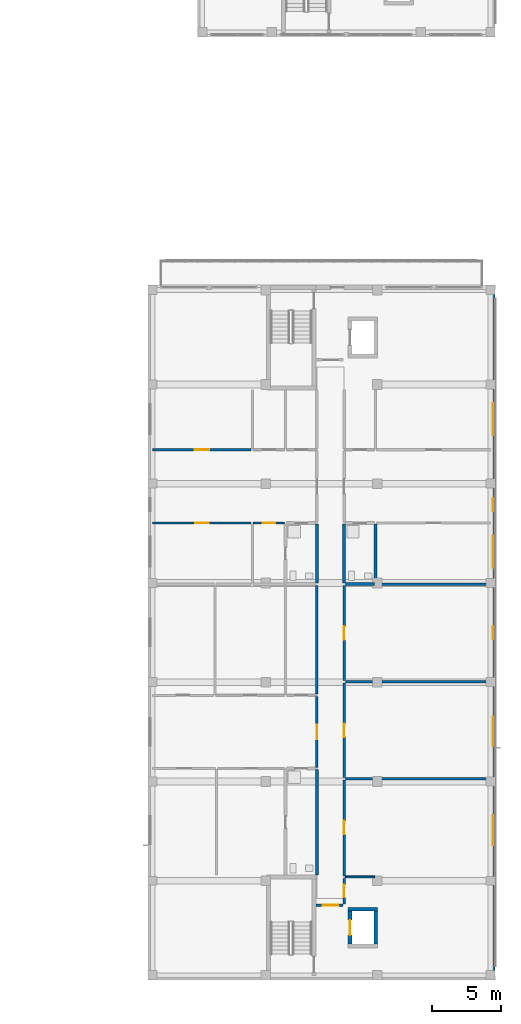
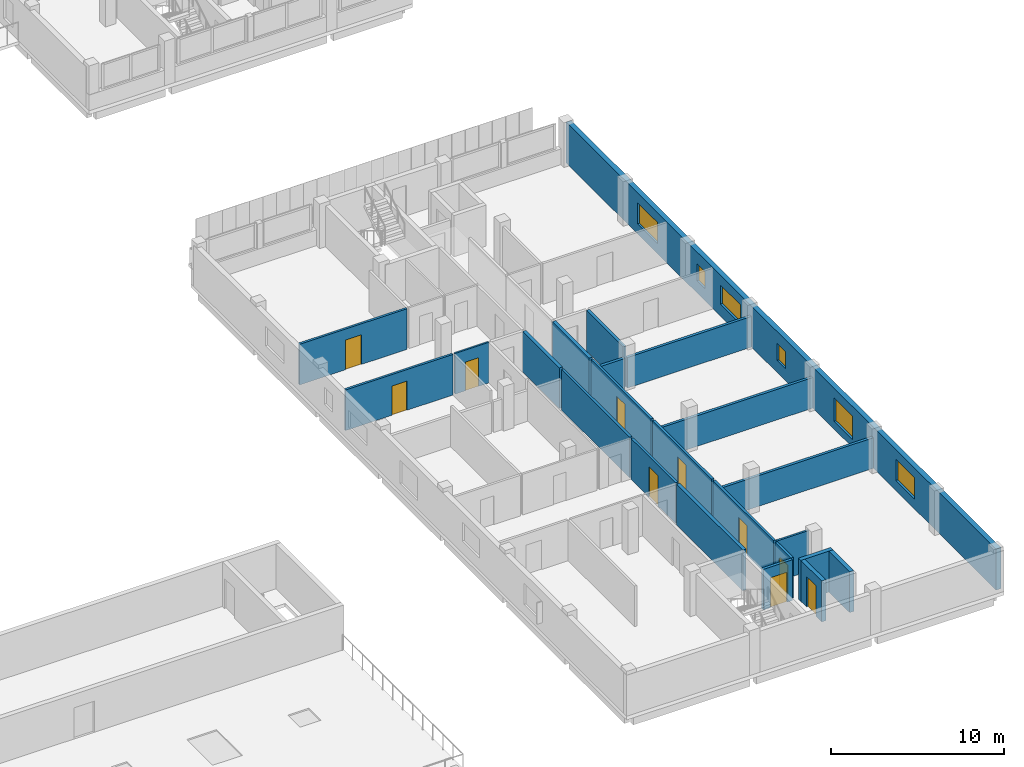
# One storey, part 34 of 56: 23 walls, 10 doors, 6 windows, 16 openings.
"""IFC4 building model written with IfcOpenShell, lengths in metres."""

import ifcopenshell
import ifcopenshell.guid

model = None  # the IFC model being written
_history = None  # IfcOwnerHistory: only IFC2X3 demands one
_inside = {}  # id of a spatial element -> (the spatial element, [elements in it])
_under = {}  # id of a project, library or spatial element -> (it, [spatial elements below it])
_declared = {}  # id of a project -> (the project, [libraries it declares])
_typed = {}  # id of a type object -> (the type object, [elements of that type])
_made_of = {}  # id of a material, layer set ... -> (it, [elements and type objects made of it])


def new_model(schema):
    """Start an empty IFC model of exactly this schema.

    Asked for "IFC4X3", IfcOpenShell would pick the latest addendum, in which some entities
    have other attributes; the version numbers below select the first issue.
    IFC2X3 requires an IfcOwnerHistory on every rooted entity: one is made here for all.
    """
    global model, _history
    if schema == "IFC4X3":
        model = ifcopenshell.file(schema_version=(4, 3, 0, 0))
    else:
        model = ifcopenshell.file(schema=schema)
    _inside.clear()
    _under.clear()
    _declared.clear()
    _typed.clear()
    _made_of.clear()
    _history = None
    if model.schema == "IFC2X3":
        org = make("IfcOrganization", Name="unknown")
        user = make(
            "IfcPersonAndOrganization",
            ThePerson=make("IfcPerson", FamilyName="unknown"),
            TheOrganization=org,
        )
        app = make(
            "IfcApplication",
            ApplicationDeveloper=org,
            Version="unknown",
            ApplicationFullName="unknown",
            ApplicationIdentifier="unknown",
        )
        _history = make(
            "IfcOwnerHistory",
            OwningUser=user,
            OwningApplication=app,
            ChangeAction="ADDED",
            CreationDate=0,
        )
    return model


def make(cls, **values):
    """One entity of the class cls with the attributes given. An attribute that is None is left unset."""
    return model.create_entity(
        cls, **{name: value for name, value in values.items() if value is not None}
    )


def rooted(cls, **values):
    """An entity with a GlobalId (a new one), such as an element, a storey or a relation."""
    return make(cls, GlobalId=ifcopenshell.guid.new(), OwnerHistory=_history, **values)


def si_unit(unit_type, name, prefix=None):
    """IfcSIUnit, for example si_unit("LENGTHUNIT", "METRE", prefix="MILLI")."""
    return make("IfcSIUnit", UnitType=unit_type, Prefix=prefix, Name=name)


def derived_unit(unit_type, elements):
    """IfcDerivedUnit: a product of units, each with its exponent."""
    return make(
        "IfcDerivedUnit",
        Elements=[
            make("IfcDerivedUnitElement", Unit=unit, Exponent=power)
            for unit, power in elements
        ],
        UnitType=unit_type,
    )


def assignment(units):
    """IfcUnitAssignment: the units of a project."""
    return None if units is None else make("IfcUnitAssignment", Units=units)


def point(xyz):
    """IfcCartesianPoint."""
    return None if xyz is None else make("IfcCartesianPoint", Coordinates=xyz)


def direction(xyz):
    """IfcDirection."""
    return None if xyz is None else make("IfcDirection", DirectionRatios=xyz)


def frame(location, z_axis=None, x_axis=None):
    """IfcAxis2Placement3D, a coordinate frame: its origin and axes. An axis left out is left unset."""
    return make(
        "IfcAxis2Placement3D",
        Location=point(location),
        Axis=direction(z_axis),
        RefDirection=direction(x_axis),
    )


def frame_2d(location, x_axis=None):
    """IfcAxis2Placement2D, a coordinate frame in the plane: its origin and x axis."""
    return make(
        "IfcAxis2Placement2D", Location=point(location), RefDirection=direction(x_axis)
    )


def origin():
    """The frame at (0, 0, 0) with its axes left unset."""
    return frame((0.0, 0.0, 0.0))


def place(relative_to, where):
    """IfcLocalPlacement: puts the frame where relative to a parent placement (None: the world)."""
    return make(
        "IfcLocalPlacement", PlacementRelTo=relative_to, RelativePlacement=where
    )


def context(
    kind, dimensions, precision=None, world=None, true_north=None, identifier=None
):
    """IfcGeometricRepresentationContext, for example the 3D "Model" context."""
    return make(
        "IfcGeometricRepresentationContext",
        ContextIdentifier=identifier,
        ContextType=kind,
        CoordinateSpaceDimension=dimensions,
        Precision=precision,
        WorldCoordinateSystem=world,
        TrueNorth=true_north,
    )


def subcontext(parent, identifier, kind, view, scale=None):
    """IfcGeometricRepresentationSubContext, for example "Body" below "Model"."""
    return make(
        "IfcGeometricRepresentationSubContext",
        ContextIdentifier=identifier,
        ContextType=kind,
        ParentContext=parent,
        TargetScale=scale,
        TargetView=view,
    )


def project(units=None, contexts=None):
    """IfcProject with its units and contexts."""
    return rooted(
        "IfcProject",
        Name="project",
        RepresentationContexts=contexts,
        UnitsInContext=assignment(units),
    )


def spatial(cls, under=None, at=None, **own):
    """A site, building, storey or space (cls), placed at a placement, below another one or the project."""
    s = rooted(cls, ObjectPlacement=at, **own)
    if under is not None:
        _under.setdefault(under.id(), (under, []))[1].append(s)
    return s


def profile(cls, at=None, kind="AREA", **sizes):
    """A parametric profile (cls). Its sizes go by their IFC names, for example OverallWidth=200.0."""
    return make(cls, ProfileType=kind, Position=at, **sizes)


def rectangle(**sizes):
    """IfcRectangleProfileDef."""
    return profile("IfcRectangleProfileDef", **sizes)


def extrude(swept, where, along, depth):
    """IfcExtrudedAreaSolid: the profile swept, set in the frame where, extruded along a direction by depth."""
    return make(
        "IfcExtrudedAreaSolid",
        SweptArea=swept,
        Position=where,
        ExtrudedDirection=direction(along),
        Depth=depth,
    )


def shape(context_of_items, identifier, shape_type, items):
    """IfcShapeRepresentation: the items that make up one representation, for example the "Body"."""
    return make(
        "IfcShapeRepresentation",
        ContextOfItems=context_of_items,
        RepresentationIdentifier=identifier,
        RepresentationType=shape_type,
        Items=items,
    )


def material(Name=None, Category=None):
    """IfcMaterial."""
    return make("IfcMaterial", Name=Name, Category=Category)


def layer(
    of_material, thickness, ventilated=None, Name=None, Category=None, Priority=None
):
    """IfcMaterialLayer: one layer of a wall or slab, of a material (None: an air gap)."""
    return make(
        "IfcMaterialLayer",
        Material=of_material,
        LayerThickness=thickness,
        IsVentilated=ventilated,
        Name=Name,
        Category=Category,
        Priority=Priority,
    )


def layer_set(layers, Name=None):
    """IfcMaterialLayerSet."""
    return make("IfcMaterialLayerSet", MaterialLayers=layers, LayerSetName=Name)


def made_of(thing, what):
    """Note that an element or type object is made of a material, layer set ...; save() writes the relation."""
    if what is not None:
        _made_of.setdefault(what.id(), (what, []))[1].append(thing)
    return thing


def type_object(cls, material=None, **own):
    """A type object (cls), such as IfcWallType, which elements share."""
    return made_of(rooted(cls, **own), material)


def element(
    cls,
    number,
    at=None,
    inside=None,
    cuts=None,
    type_object=None,
    material=None,
    context=None,
    identifier="Body",
    shape_type=None,
    held_by="IfcProductDefinitionShape",
    body=None,
    shapes=None,
    **own,
):
    """One element of the class cls, such as IfcWall. Its Tag is "e" and its number.

    at: its placement. inside: the storey or other place that contains it. cuts: it is an
    opening in that element (IfcRelVoidsElement). A single representation is given by context,
    identifier, shape_type and body (its items); several are given by shapes. held_by: the class
    of the entity that holds the representations. save() writes the other relations.
    """
    e = rooted(cls, Tag="e%d" % number, ObjectPlacement=at, **own)
    if body is not None:
        shapes = [shape(context, identifier, shape_type, body)]
    if shapes is not None:
        e.Representation = make(held_by, Representations=shapes)
    if inside is not None:
        _inside.setdefault(inside.id(), (inside, []))[1].append(e)
    if cuts is not None:
        rooted(
            "IfcRelVoidsElement", RelatingBuildingElement=cuts, RelatedOpeningElement=e
        )
    if type_object is not None:
        _typed.setdefault(type_object.id(), (type_object, []))[1].append(e)
    return made_of(e, material)


def fill(opening, filler):
    """IfcRelFillsElement: the door or window that sits in an opening."""
    return rooted(
        "IfcRelFillsElement",
        RelatingOpeningElement=opening,
        RelatedBuildingElement=filler,
    )


def aggregate(whole, parts):
    """IfcRelAggregates: a whole, such as a stair, and the parts it consists of."""
    return rooted("IfcRelAggregates", RelatingObject=whole, RelatedObjects=parts)


def save(model, path):
    """Write the relations noted so far, then the file.

    IfcRelAggregates (storeys below a building ...), IfcRelContainedInSpatialStructure (elements
    in a storey), IfcRelDefinesByType, IfcRelAssociatesMaterial and IfcRelDeclares: one each for
    every whole, place, type object, material and project.
    """
    for whole, parts in _under.values():
        aggregate(whole, parts)
    for where, things in _inside.values():
        rooted(
            "IfcRelContainedInSpatialStructure",
            RelatedElements=things,
            RelatingStructure=where,
        )
    for kind, things in _typed.values():
        rooted("IfcRelDefinesByType", RelatedObjects=things, RelatingType=kind)
    for what, things in _made_of.values():
        rooted("IfcRelAssociatesMaterial", RelatedObjects=things, RelatingMaterial=what)
    for by, libraries in _declared.values():
        rooted("IfcRelDeclares", RelatingContext=by, RelatedDefinitions=libraries)
    model.write(path)


model = new_model("IFC4")

# Units and contexts
model_context = context("Model", 3, precision=1e-05, world=origin(), true_north=direction((0.0, 1.0)))
body_context = subcontext(model_context, "Body", "Model", "MODEL_VIEW")
ifc_project = project(units=[si_unit("LENGTHUNIT", "METRE"), si_unit("AREAUNIT", "SQUARE_METRE"), si_unit("VOLUMEUNIT", "CUBIC_METRE"), si_unit("PLANEANGLEUNIT", "RADIAN"), si_unit("MASSUNIT", "GRAM", prefix="KILO"), derived_unit("THERMALTRANSMITTANCEUNIT", [(si_unit("MASSUNIT", "GRAM", prefix="KILO"), 1), (si_unit("TIMEUNIT", "SECOND"), -3), (si_unit("THERMODYNAMICTEMPERATUREUNIT", "KELVIN"), -1)])], contexts=[model_context])

# Site, building, storey
site_placement = place(None, origin())
site = spatial("IfcSite", under=ifc_project, at=site_placement, CompositionType="ELEMENT")
building_placement = place(site_placement, origin())
building = spatial("IfcBuilding", under=site, at=building_placement, Name="Ochrekiln Boulevard Commons", CompositionType="ELEMENT")
storey_placement = place(building_placement, frame((0.0, 0.0, 12.074951171875)))
storey = spatial("IfcBuildingStorey", under=building, at=storey_placement, Name="L03", CompositionType="ELEMENT", Elevation=12.074951171875)

# Wall, openings, windows
ifc_material_1 = material(Name="Desert ochre clinker brick masonry ASTM C216 Grade SW", Category="masonry")
ifc_layer_1 = layer(ifc_material_1, 0.330078125)
ifc_layer_set_1 = layer_set([ifc_layer_1], Name="Desert ochre clinker brick masonry ASTM C216 Grade SW")
wall_type_1 = type_object("IfcWallType", Name="WL-EXT-OCHRE-330", PredefinedType="SOLIDWALL", material=ifc_layer_set_1)
wall_1_placement = place(storey_placement, frame((172.635009765625, 0.330078125, 0.0), z_axis=(0.0, 0.0, 1.0), x_axis=(0.0, 1.0, 0.0)))
wall_1 = element("IfcWall", 1, at=wall_1_placement, inside=storey, type_object=wall_type_1, Name="Block C L03 E Exterior Wall", PredefinedType="SOLIDWALL", context=body_context, shape_type="SweptSolid", body=[
    extrude(rectangle(XDim=49.739990234375, YDim=0.330078125, at=frame_2d((24.8701171875, 0.0))), origin(), (0.0, 0.0, 1.0), 2.89013671875),
])
opening_1_placement = place(wall_1_placement, frame((9.4599609375, 0.0, 0.705078125)))
opening_1 = element("IfcOpeningElement", 2, at=opening_1_placement, cuts=wall_1, Name="Opening W-53", PredefinedType="OPENING", context=body_context, shape_type="SweptSolid", body=[
    extrude(rectangle(XDim=2.14990234375, YDim=1.5, at=frame_2d((1.074951171875, 0.75))), frame((0.0, 0.175048828125, 0.0), z_axis=(0.0, -1.0, 0.0), x_axis=(1.0, 0.0, 0.0)), (0.0, 0.0, 1.0), 0.35009765625),
])
opening_2_placement = place(wall_1_placement, frame((16.610107421875, 0.0, 0.554931640625)))
opening_2 = element("IfcOpeningElement", 3, at=opening_2_placement, cuts=wall_1, Name="Opening W-54", PredefinedType="OPENING", context=body_context, shape_type="SweptSolid", body=[
    extrude(rectangle(XDim=2.14990234375, YDim=1.64990234375, at=frame_2d((1.074951171875, 0.824951171875))), frame((0.0, 0.175048828125, 0.0), z_axis=(0.0, -1.0, 0.0), x_axis=(1.0, 0.0, 0.0)), (0.0, 0.0, 1.0), 0.35009765625),
])
opening_3_placement = place(wall_1_placement, frame((24.39501953125, 0.0, 0.85009765625)))
opening_3 = element("IfcOpeningElement", 4, at=opening_3_placement, cuts=wall_1, Name="Opening W-01", PredefinedType="OPENING", context=body_context, shape_type="SweptSolid", body=[
    extrude(rectangle(XDim=0.949951171875, YDim=1.199951171875, at=frame_2d((0.47509765625, 0.60009765625))), frame((0.0, 0.175048828125, 0.0), z_axis=(0.0, -1.0, 0.0), x_axis=(1.0, 0.0, 0.0)), (0.0, 0.0, 1.0), 0.35009765625),
])
opening_4_placement = place(wall_1_placement, frame((33.673095703125, 0.0, 0.85009765625)))
opening_4 = element("IfcOpeningElement", 5, at=opening_4_placement, cuts=wall_1, Name="Opening W-01", PredefinedType="OPENING", context=body_context, shape_type="SweptSolid", body=[
    extrude(rectangle(XDim=0.949951171875, YDim=1.199951171875, at=frame_2d((0.47509765625, 0.60009765625))), frame((0.0, 0.175048828125, 0.0), z_axis=(0.0, -1.0, 0.0), x_axis=(1.0, 0.0, 0.0)), (0.0, 0.0, 1.0), 0.35009765625),
])
opening_5_placement = place(wall_1_placement, frame((29.589111328125, 0.0, 0.85498046875)))
opening_5 = element("IfcOpeningElement", 6, at=opening_5_placement, cuts=wall_1, Name="Opening W-57", PredefinedType="OPENING", context=body_context, shape_type="SweptSolid", body=[
    extrude(rectangle(XDim=2.300048828125, YDim=1.35009765625, at=frame_2d((1.14990234375, 0.675048828125))), frame((0.0, 0.175048828125, 0.0), z_axis=(0.0, -1.0, 0.0), x_axis=(1.0, 0.0, 0.0)), (0.0, 0.0, 1.0), 0.35009765625),
])
opening_6_placement = place(wall_1_placement, frame((39.19091796875, 0.0, 0.705078125)))
opening_6 = element("IfcOpeningElement", 7, at=opening_6_placement, cuts=wall_1, Name="Opening W-58", PredefinedType="OPENING", context=body_context, shape_type="SweptSolid", body=[
    extrude(rectangle(XDim=2.300048828125, YDim=1.5, at=frame_2d((1.14990234375, 0.75))), frame((0.0, 0.175048828125, 0.0), z_axis=(0.0, -1.0, 0.0), x_axis=(1.0, 0.0, 0.0)), (0.0, 0.0, 1.0), 0.35009765625),
])
ifc_material_2 = material(Name="Thermally broken aluminium-clad oak frame", Category="aluminium")
window_type_1 = type_object("IfcWindowType", Name="WIN-EXT-01", PartitioningType="SINGLE_PANEL", PredefinedType="WINDOW", material=ifc_material_2)
window_1_placement = place(opening_3_placement, origin())
window_1 = element("IfcWindow", 8, at=window_1_placement, inside=storey, type_object=window_type_1, Name="Block C L03 Punched Masonry Window W-01", OverallHeight=1.199951171875, OverallWidth=0.949951171875, PartitioningType="SINGLE_PANEL", PredefinedType="WINDOW", context=body_context, shape_type="SweptSolid", body=[
    extrude(rectangle(XDim=0.949951171875, YDim=1.199951171875, at=frame_2d((0.47509765625, 0.60009765625))), frame((0.0, 0.030029296875, 0.0), z_axis=(0.0, -1.0, 0.0), x_axis=(1.0, 0.0, 0.0)), (0.0, 0.0, 1.0), 0.06005859375),
])
fill(opening_3, window_1)
window_2_placement = place(opening_4_placement, origin())
window_2 = element("IfcWindow", 9, at=window_2_placement, inside=storey, type_object=window_type_1, Name="Block C L03 Punched Masonry Window W-01", OverallHeight=1.199951171875, OverallWidth=0.949951171875, PartitioningType="SINGLE_PANEL", PredefinedType="WINDOW", context=body_context, shape_type="SweptSolid", body=[
    extrude(rectangle(XDim=0.949951171875, YDim=1.199951171875, at=frame_2d((0.47509765625, 0.60009765625))), frame((0.0, 0.030029296875, 0.0), z_axis=(0.0, -1.0, 0.0), x_axis=(1.0, 0.0, 0.0)), (0.0, 0.0, 1.0), 0.06005859375),
])
fill(opening_4, window_2)
window_type_2 = type_object("IfcWindowType", Name="WIN-EXT-53", PartitioningType="DOUBLE_PANEL_VERTICAL", PredefinedType="WINDOW", material=ifc_material_2)
window_3_placement = place(opening_1_placement, origin())
window_3 = element("IfcWindow", 10, at=window_3_placement, inside=storey, type_object=window_type_2, Name="Block C L03 Punched Masonry Window W-53", OverallHeight=1.5, OverallWidth=2.14990234375, PartitioningType="DOUBLE_PANEL_VERTICAL", PredefinedType="WINDOW", context=body_context, shape_type="SweptSolid", body=[
    extrude(rectangle(XDim=2.14990234375, YDim=1.5, at=frame_2d((1.074951171875, 0.75))), frame((0.0, 0.030029296875, 0.0), z_axis=(0.0, -1.0, 0.0), x_axis=(1.0, 0.0, 0.0)), (0.0, 0.0, 1.0), 0.06005859375),
])
fill(opening_1, window_3)
window_type_3 = type_object("IfcWindowType", Name="WIN-EXT-54", PartitioningType="DOUBLE_PANEL_VERTICAL", PredefinedType="WINDOW", material=ifc_material_2)
window_4_placement = place(opening_2_placement, origin())
window_4 = element("IfcWindow", 11, at=window_4_placement, inside=storey, type_object=window_type_3, Name="Block C L03 Punched Masonry Window W-54", OverallHeight=1.64990234375, OverallWidth=2.14990234375, PartitioningType="DOUBLE_PANEL_VERTICAL", PredefinedType="WINDOW", context=body_context, shape_type="SweptSolid", body=[
    extrude(rectangle(XDim=2.14990234375, YDim=1.64990234375, at=frame_2d((1.074951171875, 0.824951171875))), frame((0.0, 0.030029296875, 0.0), z_axis=(0.0, -1.0, 0.0), x_axis=(1.0, 0.0, 0.0)), (0.0, 0.0, 1.0), 0.06005859375),
])
fill(opening_2, window_4)
window_type_4 = type_object("IfcWindowType", Name="WIN-EXT-57", PartitioningType="DOUBLE_PANEL_VERTICAL", PredefinedType="WINDOW", material=ifc_material_2)
window_5_placement = place(opening_5_placement, origin())
window_5 = element("IfcWindow", 12, at=window_5_placement, inside=storey, type_object=window_type_4, Name="Block C L03 Punched Masonry Window W-57", OverallHeight=1.35009765625, OverallWidth=2.300048828125, PartitioningType="DOUBLE_PANEL_VERTICAL", PredefinedType="WINDOW", context=body_context, shape_type="SweptSolid", body=[
    extrude(rectangle(XDim=2.300048828125, YDim=1.35009765625, at=frame_2d((1.14990234375, 0.675048828125))), frame((0.0, 0.030029296875, 0.0), z_axis=(0.0, -1.0, 0.0), x_axis=(1.0, 0.0, 0.0)), (0.0, 0.0, 1.0), 0.06005859375),
])
fill(opening_5, window_5)
window_type_5 = type_object("IfcWindowType", Name="WIN-EXT-58", PartitioningType="DOUBLE_PANEL_VERTICAL", PredefinedType="WINDOW", material=ifc_material_2)
window_6_placement = place(opening_6_placement, origin())
window_6 = element("IfcWindow", 13, at=window_6_placement, inside=storey, type_object=window_type_5, Name="Block C L03 Punched Masonry Window W-58", OverallHeight=1.5, OverallWidth=2.300048828125, PartitioningType="DOUBLE_PANEL_VERTICAL", PredefinedType="WINDOW", context=body_context, shape_type="SweptSolid", body=[
    extrude(rectangle(XDim=2.300048828125, YDim=1.5, at=frame_2d((1.14990234375, 0.75))), frame((0.0, 0.030029296875, 0.0), z_axis=(0.0, -1.0, 0.0), x_axis=(1.0, 0.0, 0.0)), (0.0, 0.0, 1.0), 0.06005859375),
])
fill(opening_6, window_6)

# Walls
ifc_material_3 = material(Name="Moisture-resistant cementitious tile backer wall")
ifc_layer_2 = layer(ifc_material_3, 0.199951171875)
ifc_layer_set_2 = layer_set([ifc_layer_2], Name="Moisture-resistant cementitious tile backer wall")
wall_type_2 = type_object("IfcWallType", Name="WL-PLM-200", PredefinedType="PLUMBINGWALL", material=ifc_layer_set_2)
wall_2_placement = place(storey_placement, frame((161.923095703125, 28.719970703125, 0.0), z_axis=(0.0, 0.0, 1.0), x_axis=(1.0, 0.0, 0.0)))
element("IfcWall", 14, at=wall_2_placement, inside=storey, type_object=wall_type_2, Name="L03 Interior Wall W-PW200", PredefinedType="PLUMBINGWALL", context=body_context, shape_type="SweptSolid", body=[
    extrude(rectangle(XDim=2.10693359375, YDim=0.199951171875, at=frame_2d((1.053466796875, 0.0))), origin(), (0.0, 0.0, 1.0), 2.16015625),
])
wall_3_placement = place(storey_placement, frame((164.110107421875, 28.81005859375, 0.0), z_axis=(0.0, 0.0, 1.0), x_axis=(0.0, 1.0, 0.0)))
element("IfcWall", 15, at=wall_3_placement, inside=storey, type_object=wall_type_2, Name="L03 Interior Wall W-PW200", PredefinedType="PLUMBINGWALL", context=body_context, shape_type="SweptSolid", body=[
    extrude(rectangle(XDim=4.2568359375, YDim=0.199951171875, at=frame_2d((2.12841796875, 0.0))), origin(), (0.0, 0.0, 1.0), 2.8701171875),
])
ifc_layer_3 = layer(ifc_material_3, 0.219970703125)
ifc_layer_set_3 = layer_set([ifc_layer_3], Name="Moisture-resistant cementitious tile backer wall")
wall_type_3 = type_object("IfcWallType", Name="WL-PLM-220", PredefinedType="PLUMBINGWALL", material=ifc_layer_set_3)
wall_4_placement = place(storey_placement, frame((159.860107421875, 7.60009765625, 0.0), z_axis=(0.0, 0.0, 1.0), x_axis=(0.0, 1.0, 0.0)))
element("IfcWall", 16, at=wall_4_placement, inside=storey, type_object=wall_type_3, Name="L03 Interior Wall W-PW220", PredefinedType="PLUMBINGWALL", context=body_context, shape_type="SweptSolid", body=[
    extrude(rectangle(XDim=7.669921875, YDim=0.219970703125, at=frame_2d((3.8349609375, 0.0))), origin(), (0.0, 0.0, 1.0), 2.8701171875),
])
for number, where, z_axis, x_axis, name in (
    (17, (159.860107421875, 28.81005859375, 0.0), (0.0, 0.0, 1.0), (0.0, 1.0, 0.0), "L03 Interior Wall W-PW220"),
    (18, (161.840087890625, 28.81005859375, 0.0), (0.0, 0.0, 1.0), (0.0, 1.0, 0.0), "L03 Interior Wall W-PW220"),
):
    element("IfcWall", number, at=place(storey_placement, frame(where, z_axis=z_axis, x_axis=x_axis)), inside=storey, type_object=wall_type_3, Name=name, PredefinedType="PLUMBINGWALL", context=body_context, shape_type="SweptSolid", body=[
        extrude(rectangle(XDim=4.2568359375, YDim=0.219970703125, at=frame_2d((2.12841796875, 0.0))), origin(), (0.0, 0.0, 1.0), 2.8701171875),
    ])
ifc_material_4 = material(Name="Fire-rated Type X gypsum board on steel studs", Category="steel")
ifc_layer_4 = layer(ifc_material_4, 0.139892578125)
ifc_layer_set_4 = layer_set([ifc_layer_4], Name="Fire-rated Type X gypsum board on steel studs")
wall_type_4 = type_object("IfcWallType", Name="WL-PT-ACO-140", PredefinedType="PARTITIONING", material=ifc_layer_set_4)
wall_5_placement = place(storey_placement, frame((161.923095703125, 7.47509765625, 0.0), z_axis=(0.0, 0.0, 1.0), x_axis=(1.0, 0.0, 0.0)))
element("IfcWall", 19, at=wall_5_placement, inside=storey, type_object=wall_type_4, Name="L03 Interior Wall W-PA140", PredefinedType="PARTITIONING", context=body_context, shape_type="SweptSolid", body=[
    extrude(rectangle(XDim=2.126953125, YDim=0.139892578125, at=frame_2d((1.0634765625, 0.0))), origin(), (0.0, 0.0, 1.0), 2.8701171875),
])

# Wall, opening, door
ifc_layer_5 = layer(ifc_material_4, 0.1650390625)
ifc_layer_set_5 = layer_set([ifc_layer_5], Name="Fire-rated Type X gypsum board on steel studs")
wall_type_5 = type_object("IfcWallType", Name="WL-PT-CORR-165", PredefinedType="PARTITIONING", material=ifc_layer_set_5)
wall_6_placement = place(storey_placement, frame((161.840087890625, 5.514892578125, 0.0), z_axis=(0.0, 0.0, 1.0), x_axis=(0.0, 1.0, 0.0)))
wall_6 = element("IfcWall", 20, at=wall_6_placement, inside=storey, type_object=wall_type_5, Name="L03 Interior Wall W-PC165", PredefinedType="PARTITIONING", context=body_context, shape_type="SweptSolid", body=[
    extrude(rectangle(XDim=1.835205078125, YDim=0.1650390625, at=frame_2d((0.91748046875, 0.0))), origin(), (0.0, 0.0, 1.0), 2.8701171875),
])
opening_7_placement = place(wall_6_placement, frame((0.47509765625, 0.0, 0.0)))
opening_7 = element("IfcOpeningElement", 21, at=opening_7_placement, cuts=wall_6, Name="Opening D-L03-504", PredefinedType="OPENING", context=body_context, shape_type="SweptSolid", body=[
    extrude(rectangle(XDim=0.919921875, YDim=2.0400390625, at=frame_2d((0.4599609375, 1.02001953125))), frame((0.0, 0.092529296875, 0.0), z_axis=(0.0, -1.0, 0.0), x_axis=(1.0, 0.0, 0.0)), (0.0, 0.0, 1.0), 0.18505859375),
])
ifc_material_5 = material(Name="Hollow metal fire-rated steel door assembly", Category="steel")
door_type_1 = type_object("IfcDoorType", Name="DR-SRV-90", OperationType="NOTDEFINED", PredefinedType="DOOR", material=ifc_material_5)
door_1_placement = place(opening_7_placement, frame((0.919921875, 0.0, 0.0), z_axis=(0.0, 0.0, 1.0), x_axis=(-1.0, 0.0, 0.0)))
door_1 = element("IfcDoor", 22, at=door_1_placement, inside=storey, type_object=door_type_1, Name="L03 Interior Door to Hydronic and Electrical Riser Room", OperationType="SINGLE_SWING_RIGHT", OverallHeight=2.0400390625, OverallWidth=0.919921875, PredefinedType="DOOR", context=body_context, shape_type="SweptSolid", body=[
    extrude(rectangle(XDim=0.919921875, YDim=2.0400390625, at=frame_2d((0.4599609375, 1.02001953125))), frame((0.0, 0.02490234375, 0.0), z_axis=(0.0, -1.0, 0.0), x_axis=(1.0, 0.0, 0.0)), (0.0, 0.0, 1.0), 0.050048828125),
])
fill(opening_7, door_1)

wall_7_placement = place(storey_placement, frame((159.860107421875, 15.429931640625, 0.0), z_axis=(0.0, 0.0, 1.0), x_axis=(0.0, 1.0, 0.0)))
wall_7 = element("IfcWall", 23, at=wall_7_placement, inside=storey, type_object=wall_type_5, Name="L03 Interior Wall W-PC165", PredefinedType="PARTITIONING", context=body_context, shape_type="SweptSolid", body=[
    extrude(rectangle(XDim=5.14013671875, YDim=0.1650390625, at=frame_2d((2.570068359375, 0.0))), origin(), (0.0, 0.0, 1.0), 2.8701171875),
])
opening_8_placement = place(wall_7_placement, frame((2.044921875, 0.0, 0.0)))
opening_8 = element("IfcOpeningElement", 24, at=opening_8_placement, cuts=wall_7, Name="Opening D-L03-505", PredefinedType="OPENING", context=body_context, shape_type="SweptSolid", body=[
    extrude(rectangle(XDim=1.050048828125, YDim=2.1298828125, at=frame_2d((0.52490234375, 1.06494140625))), frame((0.0, 0.092529296875, 0.0), z_axis=(0.0, -1.0, 0.0), x_axis=(1.0, 0.0, 0.0)), (0.0, 0.0, 1.0), 0.18505859375),
])
ifc_material_6 = material(Name="Solid core architectural oak door leaf")
door_type_2 = type_object("IfcDoorType", Name="DR-INT-APT-105", OperationType="NOTDEFINED", PredefinedType="DOOR", material=ifc_material_6)
door_2_placement = place(opening_8_placement, origin())
door_2 = element("IfcDoor", 25, at=door_2_placement, inside=storey, type_object=door_type_2, Name="L03 Interior Door to Two-Bedroom Apartment Living Room", OperationType="SINGLE_SWING_LEFT", OverallHeight=2.1298828125, OverallWidth=1.050048828125, PredefinedType="DOOR", context=body_context, shape_type="SweptSolid", body=[
    extrude(rectangle(XDim=1.050048828125, YDim=2.1298828125, at=frame_2d((0.52490234375, 1.06494140625))), frame((0.0, 0.02490234375, 0.0), z_axis=(0.0, -1.0, 0.0), x_axis=(1.0, 0.0, 0.0)), (0.0, 0.0, 1.0), 0.050048828125),
])
fill(opening_8, door_2)

# Wall
wall_8_placement = place(storey_placement, frame((159.860107421875, 20.72998046875, 0.0), z_axis=(0.0, 0.0, 1.0), x_axis=(0.0, 1.0, 0.0)))
element("IfcWall", 26, at=wall_8_placement, inside=storey, type_object=wall_type_5, Name="L03 Interior Wall W-PC165", PredefinedType="PARTITIONING", context=body_context, shape_type="SweptSolid", body=[
    extrude(rectangle(XDim=7.89990234375, YDim=0.1650390625, at=frame_2d((3.949951171875, 0.0))), origin(), (0.0, 0.0, 1.0), 2.8701171875),
])

# Wall, opening, door
wall_9_placement = place(storey_placement, frame((161.840087890625, 7.544921875, 0.0), z_axis=(0.0, 0.0, 1.0), x_axis=(0.0, 1.0, 0.0)))
wall_9 = element("IfcWall", 27, at=wall_9_placement, inside=storey, type_object=wall_type_5, Name="L03 Interior Wall W-PC165", PredefinedType="PARTITIONING", context=body_context, shape_type="SweptSolid", body=[
    extrude(rectangle(XDim=6.97509765625, YDim=0.1650390625, at=frame_2d((3.487548828125, 0.0))), origin(), (0.0, 0.0, 1.0), 2.8701171875),
])
opening_9_placement = place(wall_9_placement, frame((3.02490234375, 0.0, 0.0)))
opening_9 = element("IfcOpeningElement", 28, at=opening_9_placement, cuts=wall_9, Name="Opening D-L03-507", PredefinedType="OPENING", context=body_context, shape_type="SweptSolid", body=[
    extrude(rectangle(XDim=0.97998046875, YDim=2.080078125, at=frame_2d((0.489990234375, 1.0400390625))), frame((0.0, 0.092529296875, 0.0), z_axis=(0.0, -1.0, 0.0), x_axis=(1.0, 0.0, 0.0)), (0.0, 0.0, 1.0), 0.18505859375),
])
door_type_3 = type_object("IfcDoorType", Name="DR-APT-60", OperationType="NOTDEFINED", PredefinedType="DOOR", material=ifc_material_6)
door_3_placement = place(opening_9_placement, frame((0.97998046875, 0.0, 0.0), z_axis=(0.0, 0.0, 1.0), x_axis=(-1.0, 0.0, 0.0)))
door_3 = element("IfcDoor", 29, at=door_3_placement, inside=storey, type_object=door_type_3, Name="L03 Interior Door to Resident Study Lounge", OperationType="SINGLE_SWING_LEFT", OverallHeight=2.080078125, OverallWidth=0.97998046875, PredefinedType="DOOR", context=body_context, shape_type="SweptSolid", body=[
    extrude(rectangle(XDim=0.97998046875, YDim=2.080078125, at=frame_2d((0.489990234375, 1.0400390625))), frame((0.0, 0.02490234375, 0.0), z_axis=(0.0, -1.0, 0.0), x_axis=(1.0, 0.0, 0.0)), (0.0, 0.0, 1.0), 0.050048828125),
])
fill(opening_9, door_3)

wall_10_placement = place(storey_placement, frame((161.840087890625, 14.699951171875, 0.0), z_axis=(0.0, 0.0, 1.0), x_axis=(0.0, 1.0, 0.0)))
wall_10 = element("IfcWall", 30, at=wall_10_placement, inside=storey, type_object=wall_type_5, Name="L03 Interior Wall W-PC165", PredefinedType="PARTITIONING", context=body_context, shape_type="SweptSolid", body=[
    extrude(rectangle(XDim=6.830078125, YDim=0.1650390625, at=frame_2d((3.4150390625, 0.0))), origin(), (0.0, 0.0, 1.0), 2.8701171875),
])
opening_10_placement = place(wall_10_placement, frame((2.925048828125, 0.0, 0.0)))
opening_10 = element("IfcOpeningElement", 31, at=opening_10_placement, cuts=wall_10, Name="Opening D-L03-508", PredefinedType="OPENING", context=body_context, shape_type="SweptSolid", body=[
    extrude(rectangle(XDim=0.97998046875, YDim=2.080078125, at=frame_2d((0.489990234375, 1.0400390625))), frame((0.0, 0.092529296875, 0.0), z_axis=(0.0, -1.0, 0.0), x_axis=(1.0, 0.0, 0.0)), (0.0, 0.0, 1.0), 0.18505859375),
])
door_4_placement = place(opening_10_placement, frame((0.97998046875, 0.0, 0.0), z_axis=(0.0, 0.0, 1.0), x_axis=(-1.0, 0.0, 0.0)))
door_4 = element("IfcDoor", 32, at=door_4_placement, inside=storey, type_object=door_type_3, Name="L03 Interior Door to Resident Reading Library", OperationType="SINGLE_SWING_RIGHT", OverallHeight=2.080078125, OverallWidth=0.97998046875, PredefinedType="DOOR", context=body_context, shape_type="SweptSolid", body=[
    extrude(rectangle(XDim=0.97998046875, YDim=2.080078125, at=frame_2d((0.489990234375, 1.0400390625))), frame((0.0, 0.02490234375, 0.0), z_axis=(0.0, -1.0, 0.0), x_axis=(1.0, 0.0, 0.0)), (0.0, 0.0, 1.0), 0.050048828125),
])
fill(opening_10, door_4)

wall_11_placement = place(storey_placement, frame((161.840087890625, 21.7099609375, 0.0), z_axis=(0.0, 0.0, 1.0), x_axis=(0.0, 1.0, 0.0)))
wall_11 = element("IfcWall", 33, at=wall_11_placement, inside=storey, type_object=wall_type_5, Name="L03 Interior Wall W-PC165", PredefinedType="PARTITIONING", context=body_context, shape_type="SweptSolid", body=[
    extrude(rectangle(XDim=6.919921875, YDim=0.1650390625, at=frame_2d((3.4599609375, 0.0))), origin(), (0.0, 0.0, 1.0), 2.8701171875),
])
opening_11_placement = place(wall_11_placement, frame((2.969970703125, 0.0, 0.0)))
opening_11 = element("IfcOpeningElement", 34, at=opening_11_placement, cuts=wall_11, Name="Opening D-L03-509", PredefinedType="OPENING", context=body_context, shape_type="SweptSolid", body=[
    extrude(rectangle(XDim=0.97998046875, YDim=2.080078125, at=frame_2d((0.489990234375, 1.0400390625))), frame((0.0, 0.092529296875, 0.0), z_axis=(0.0, -1.0, 0.0), x_axis=(1.0, 0.0, 0.0)), (0.0, 0.0, 1.0), 0.18505859375),
])
door_5_placement = place(opening_11_placement, frame((0.97998046875, 0.0, 0.0), z_axis=(0.0, 0.0, 1.0), x_axis=(-1.0, 0.0, 0.0)))
door_5 = element("IfcDoor", 35, at=door_5_placement, inside=storey, type_object=door_type_3, Name="L03 Interior Door to Community Craft Room", OperationType="SINGLE_SWING_LEFT", OverallHeight=2.080078125, OverallWidth=0.97998046875, PredefinedType="DOOR", context=body_context, shape_type="SweptSolid", body=[
    extrude(rectangle(XDim=0.97998046875, YDim=2.080078125, at=frame_2d((0.489990234375, 1.0400390625))), frame((0.0, 0.02490234375, 0.0), z_axis=(0.0, -1.0, 0.0), x_axis=(1.0, 0.0, 0.0)), (0.0, 0.0, 1.0), 0.050048828125),
])
fill(opening_11, door_5)

# Walls
ifc_layer_6 = layer(ifc_material_4, 0.179931640625)
ifc_layer_set_6 = layer_set([ifc_layer_6], Name="Fire-rated Type X gypsum board on steel studs")
wall_type_6 = type_object("IfcWallType", Name="WL-PT-DEM-180", PredefinedType="PARTITIONING", material=ifc_layer_set_6)
for number, where, z_axis, x_axis, name in (
    (36, (161.923095703125, 14.610107421875, 0.0), (0.0, 0.0, 1.0), (1.0, 0.0, 0.0), "L03 Interior Wall W-PD180"),
    (37, (161.923095703125, 21.6201171875, 0.0), (0.0, 0.0, 1.0), (1.0, 0.0, 0.0), "L03 Interior Wall W-PD180"),
):
    element("IfcWall", number, at=place(storey_placement, frame(where, z_axis=z_axis, x_axis=x_axis)), inside=storey, type_object=wall_type_6, Name=name, PredefinedType="PARTITIONING", context=body_context, shape_type="SweptSolid", body=[
        extrude(rectangle(XDim=10.546875, YDim=0.179931640625, at=frame_2d((5.2734375, 0.0))), origin(), (0.0, 0.0, 1.0), 2.16015625),
    ])
wall_12_placement = place(storey_placement, frame((164.18994140625, 28.719970703125, 0.0), z_axis=(0.0, 0.0, 1.0), x_axis=(1.0, 0.0, 0.0)))
element("IfcWall", 38, at=wall_12_placement, inside=storey, type_object=wall_type_6, Name="L03 Interior Wall W-PD180", PredefinedType="PARTITIONING", context=body_context, shape_type="SweptSolid", body=[
    extrude(rectangle(XDim=8.280029296875, YDim=0.179931640625, at=frame_2d((4.14013671875, 0.0))), origin(), (0.0, 0.0, 1.0), 2.16015625),
])

# Wall, opening, door
ifc_layer_7 = layer(ifc_material_4, 0.18994140625)
ifc_layer_set_7 = layer_set([ifc_layer_7], Name="Fire-rated Type X gypsum board on steel studs")
wall_type_7 = type_object("IfcWallType", Name="WL-PT-LBY-190", PredefinedType="PARTITIONING", material=ifc_layer_set_7)
wall_13_placement = place(storey_placement, frame((159.800048828125, 5.419921875, 0.0), z_axis=(0.0, 0.0, 1.0), x_axis=(1.0, 0.0, 0.0)))
wall_13 = element("IfcWall", 39, at=wall_13_placement, inside=storey, type_object=wall_type_7, Name="L03 Interior Wall W-PL190", PredefinedType="PARTITIONING", context=body_context, shape_type="SweptSolid", body=[
    extrude(rectangle(XDim=1.949951171875, YDim=0.18994140625, at=frame_2d((0.97509765625, 0.0))), origin(), (0.0, 0.0, 1.0), 2.8701171875),
])
opening_12_placement = place(wall_13_placement, frame((0.5, 0.0, 0.0)))
opening_12 = element("IfcOpeningElement", 40, at=opening_12_placement, cuts=wall_13, Name="Opening D-L03-502", PredefinedType="OPENING", context=body_context, shape_type="SweptSolid", body=[
    extrude(rectangle(XDim=1.10009765625, YDim=2.1201171875, at=frame_2d((0.550048828125, 1.06005859375))), frame((0.0, 0.10498046875, 0.0), z_axis=(0.0, -1.0, 0.0), x_axis=(1.0, 0.0, 0.0)), (0.0, 0.0, 1.0), 0.2099609375),
])
door_type_4 = type_object("IfcDoorType", Name="DR-LOBBY-60", OperationType="NOTDEFINED", PredefinedType="DOOR", material=ifc_material_5)
door_6_placement = place(opening_12_placement, frame((1.10009765625, 0.0, 0.0), z_axis=(0.0, 0.0, 1.0), x_axis=(-1.0, 0.0, 0.0)))
door_6 = element("IfcDoor", 41, at=door_6_placement, inside=storey, type_object=door_type_4, Name="L03 Interior Door to Passenger Elevator Lobby", OperationType="SINGLE_SWING_RIGHT", OverallHeight=2.1201171875, OverallWidth=1.10009765625, PredefinedType="DOOR", context=body_context, shape_type="SweptSolid", body=[
    extrude(rectangle(XDim=1.10009765625, YDim=2.1201171875, at=frame_2d((0.550048828125, 1.06005859375))), frame((0.0, 0.02490234375, 0.0), z_axis=(0.0, -1.0, 0.0), x_axis=(1.0, 0.0, 0.0)), (0.0, 0.0, 1.0), 0.050048828125),
])
fill(opening_12, door_6)

ifc_layer_8 = layer(ifc_material_4, 0.1201171875)
ifc_layer_set_8 = layer_set([ifc_layer_8], Name="Fire-rated Type X gypsum board on steel studs")
wall_type_8 = type_object("IfcWallType", Name="WL-PT-LGT-120", PredefinedType="PARTITIONING", material=ifc_layer_set_8)
wall_14_placement = place(storey_placement, frame((155.260009765625, 33.14697265625, 0.0), z_axis=(0.0, 0.0, 1.0), x_axis=(1.0, 0.0, 0.0)))
wall_14 = element("IfcWall", 42, at=wall_14_placement, inside=storey, type_object=wall_type_8, Name="L03 Interior Wall W-PL120", PredefinedType="PARTITIONING", context=body_context, shape_type="SweptSolid", body=[
    extrude(rectangle(XDim=2.25, YDim=0.1201171875, at=frame_2d((1.125, 0.0))), origin(), (0.0, 0.0, 1.0), 2.8701171875),
])
opening_13_placement = place(wall_14_placement, frame((0.68505859375, 0.0, 0.0)))
opening_13 = element("IfcOpeningElement", 43, at=opening_13_placement, cuts=wall_14, Name="Opening D-L03-521", PredefinedType="OPENING", context=body_context, shape_type="SweptSolid", body=[
    extrude(rectangle(XDim=0.8798828125, YDim=2.02001953125, at=frame_2d((0.43994140625, 1.010009765625))), frame((0.0, 0.070068359375, 0.0), z_axis=(0.0, -1.0, 0.0), x_axis=(1.0, 0.0, 0.0)), (0.0, 0.0, 1.0), 0.14013671875),
])
door_type_5 = type_object("IfcDoorType", Name="DR-INT-KIT-088", OperationType="NOTDEFINED", PredefinedType="DOOR", material=ifc_material_6)
door_7_placement = place(opening_13_placement, frame((0.8798828125, 0.0, 0.0), z_axis=(0.0, 0.0, 1.0), x_axis=(-1.0, 0.0, 0.0)))
door_7 = element("IfcDoor", 44, at=door_7_placement, inside=storey, type_object=door_type_5, Name="L03 Interior Door to Apartment Walk-In Wardrobe", OperationType="SINGLE_SWING_LEFT", OverallHeight=2.02001953125, OverallWidth=0.8798828125, PredefinedType="DOOR", context=body_context, shape_type="SweptSolid", body=[
    extrude(rectangle(XDim=0.8798828125, YDim=2.02001953125, at=frame_2d((0.43994140625, 1.010009765625))), frame((0.0, 0.02490234375, 0.0), z_axis=(0.0, -1.0, 0.0), x_axis=(1.0, 0.0, 0.0)), (0.0, 0.0, 1.0), 0.050048828125),
])
fill(opening_13, door_7)

ifc_layer_9 = layer(ifc_material_4, 0.14990234375)
ifc_layer_set_9 = layer_set([ifc_layer_9], Name="Fire-rated Type X gypsum board on steel studs")
wall_type_9 = type_object("IfcWallType", Name="WL-PT-STD-150", PredefinedType="PARTITIONING", material=ifc_layer_set_9)
wall_15_placement = place(storey_placement, frame((147.929931640625, 33.14697265625, 0.0), z_axis=(0.0, 0.0, 1.0), x_axis=(1.0, 0.0, 0.0)))
wall_15 = element("IfcWall", 45, at=wall_15_placement, inside=storey, type_object=wall_type_9, Name="L03 Interior Wall W-PS150", PredefinedType="PARTITIONING", context=body_context, shape_type="SweptSolid", body=[
    extrude(rectangle(XDim=7.170166015625, YDim=0.14990234375, at=frame_2d((3.5849609375, 0.0))), origin(), (0.0, 0.0, 1.0), 2.8701171875),
])
opening_14_placement = place(wall_15_placement, frame((3.094970703125, 0.0, 0.0)))
opening_14 = element("IfcOpeningElement", 46, at=opening_14_placement, cuts=wall_15, Name="Opening D-L03-520", PredefinedType="OPENING", context=body_context, shape_type="SweptSolid", body=[
    extrude(rectangle(XDim=1.0, YDim=2.06005859375, at=frame_2d((0.5, 1.030029296875))), frame((0.0, 0.0849609375, 0.0), z_axis=(0.0, -1.0, 0.0), x_axis=(1.0, 0.0, 0.0)), (0.0, 0.0, 1.0), 0.169921875),
])
door_type_6 = type_object("IfcDoorType", Name="DR-INT-BED-100", OperationType="NOTDEFINED", PredefinedType="DOOR", material=ifc_material_6)
door_8_placement = place(opening_14_placement, frame((1.0, 0.0, 0.0), z_axis=(0.0, 0.0, 1.0), x_axis=(-1.0, 0.0, 0.0)))
door_8 = element("IfcDoor", 47, at=door_8_placement, inside=storey, type_object=door_type_6, Name="L03 Interior Door to Primary Apartment Bedroom", OperationType="SINGLE_SWING_RIGHT", OverallHeight=2.06005859375, OverallWidth=1.0, PredefinedType="DOOR", context=body_context, shape_type="SweptSolid", body=[
    extrude(rectangle(XDim=1.0, YDim=2.06005859375, at=frame_2d((0.5, 1.030029296875))), frame((0.0, 0.02490234375, 0.0), z_axis=(0.0, -1.0, 0.0), x_axis=(1.0, 0.0, 0.0)), (0.0, 0.0, 1.0), 0.050048828125),
])
fill(opening_14, door_8)

wall_16_placement = place(storey_placement, frame((147.929931640625, 38.462890625, 0.0), z_axis=(0.0, 0.0, 1.0), x_axis=(1.0, 0.0, 0.0)))
wall_16 = element("IfcWall", 48, at=wall_16_placement, inside=storey, type_object=wall_type_9, Name="L03 Interior Wall W-PS150", PredefinedType="PARTITIONING", context=body_context, shape_type="SweptSolid", body=[
    extrude(rectangle(XDim=7.170166015625, YDim=0.14990234375, at=frame_2d((3.5849609375, 0.0))), origin(), (0.0, 0.0, 1.0), 2.8701171875),
])
opening_15_placement = place(wall_16_placement, frame((3.054931640625, 0.0, 0.0)))
opening_15 = element("IfcOpeningElement", 49, at=opening_15_placement, cuts=wall_16, Name="Opening D-L03-522", PredefinedType="OPENING", context=body_context, shape_type="SweptSolid", body=[
    extrude(rectangle(XDim=1.080078125, YDim=2.10009765625, at=frame_2d((0.5400390625, 1.050048828125))), frame((0.0, 0.0849609375, 0.0), z_axis=(0.0, -1.0, 0.0), x_axis=(1.0, 0.0, 0.0)), (0.0, 0.0, 1.0), 0.169921875),
])
door_type_7 = type_object("IfcDoorType", Name="DR-INT-BED-108", OperationType="NOTDEFINED", PredefinedType="DOOR", material=ifc_material_6)
door_9_placement = place(opening_15_placement, origin())
door_9 = element("IfcDoor", 50, at=door_9_placement, inside=storey, type_object=door_type_7, Name="L03 Interior Door to Secondary Apartment Bedroom", OperationType="SINGLE_SWING_RIGHT", OverallHeight=2.10009765625, OverallWidth=1.080078125, PredefinedType="DOOR", context=body_context, shape_type="SweptSolid", body=[
    extrude(rectangle(XDim=1.080078125, YDim=2.10009765625, at=frame_2d((0.5400390625, 1.050048828125))), frame((0.0, 0.02490234375, 0.0), z_axis=(0.0, -1.0, 0.0), x_axis=(1.0, 0.0, 0.0)), (0.0, 0.0, 1.0), 0.050048828125),
])
fill(opening_15, door_9)

# Wall
ifc_material_7 = material(Name="Concrete C40/50", Category="concrete")
ifc_layer_10 = layer(ifc_material_7, 0.27490234375)
ifc_layer_set_10 = layer_set([ifc_layer_10], Name="Concrete C40/50")
wall_type_10 = type_object("IfcWallType", Name="WL-SH-275", PredefinedType="SHEAR", material=ifc_layer_set_10)
wall_17_placement = place(storey_placement, frame((162.125, 5.137451171875, 0.0), z_axis=(0.0, 0.0, 1.0), x_axis=(1.0, 0.0, 0.0)))
element("IfcWall", 51, at=wall_17_placement, inside=storey, type_object=wall_type_10, Name="Elevator LP-C1 L03 Hoistway Shear Wall", PredefinedType="SHEAR", context=body_context, shape_type="SweptSolid", body=[
    extrude(rectangle(XDim=2.14990234375, YDim=0.27490234375, at=frame_2d((1.074951171875, 0.0))), origin(), (0.0, 0.0, 1.0), 2.89013671875),
])

# Wall, opening, door
wall_18_placement = place(storey_placement, frame((162.262451171875, 2.60009765625, 0.0), z_axis=(0.0, 0.0, 1.0), x_axis=(0.0, 1.0, 0.0)))
wall_18 = element("IfcWall", 52, at=wall_18_placement, inside=storey, type_object=wall_type_10, Name="Elevator LP-C1 L03 Hoistway Shear Wall", PredefinedType="SHEAR", context=body_context, shape_type="SweptSolid", body=[
    extrude(rectangle(XDim=2.39990234375, YDim=0.27490234375, at=frame_2d((1.199951171875, 0.0))), origin(), (0.0, 0.0, 1.0), 2.89013671875),
])
opening_16_placement = place(wall_18_placement, frame((0.64990234375, 0.0, 0.0)))
opening_16 = element("IfcOpeningElement", 53, at=opening_16_placement, cuts=wall_18, Name="Opening LD-LP-C1-L03", PredefinedType="OPENING", context=body_context, shape_type="SweptSolid", body=[
    extrude(rectangle(XDim=1.10009765625, YDim=2.14990234375, at=frame_2d((0.550048828125, 1.074951171875))), frame((0.0, 0.1474609375, 0.0), z_axis=(0.0, -1.0, 0.0), x_axis=(1.0, 0.0, 0.0)), (0.0, 0.0, 1.0), 0.294921875),
])
ifc_material_8 = material(Name="Brushed stainless steel 316 elevator cab and doors", Category="steel")
door_type_8 = type_object("IfcDoorType", Name="DR-LIFT-LD90", OperationType="SLIDING_TO_LEFT", PredefinedType="DOOR", material=ifc_material_8)
door_10_placement = place(opening_16_placement, origin())
door_10 = element("IfcDoor", 54, at=door_10_placement, inside=storey, type_object=door_type_8, Name="Elevator LP-C1 L03 Sliding Landing Door LD-LP-C1-L03", OperationType="SLIDING_TO_LEFT", OverallHeight=2.14990234375, OverallWidth=1.10009765625, PredefinedType="DOOR", context=body_context, shape_type="SweptSolid", body=[
    extrude(rectangle(XDim=1.10009765625, YDim=2.14990234375, at=frame_2d((0.550048828125, 1.074951171875))), frame((0.0, 0.02490234375, 0.0), z_axis=(0.0, -1.0, 0.0), x_axis=(1.0, 0.0, 0.0)), (0.0, 0.0, 1.0), 0.050048828125),
])
fill(opening_16, door_10)

# Wall
wall_19_placement = place(storey_placement, frame((164.137451171875, 2.60009765625, 0.0), z_axis=(0.0, 0.0, 1.0), x_axis=(0.0, 1.0, 0.0)))
element("IfcWall", 55, at=wall_19_placement, inside=storey, type_object=wall_type_10, Name="Elevator LP-C1 L03 Hoistway Shear Wall", PredefinedType="SHEAR", context=body_context, shape_type="SweptSolid", body=[
    extrude(rectangle(XDim=2.39990234375, YDim=0.27490234375, at=frame_2d((1.199951171875, 0.0))), origin(), (0.0, 0.0, 1.0), 2.89013671875),
])

save(model, "model.ifc")
